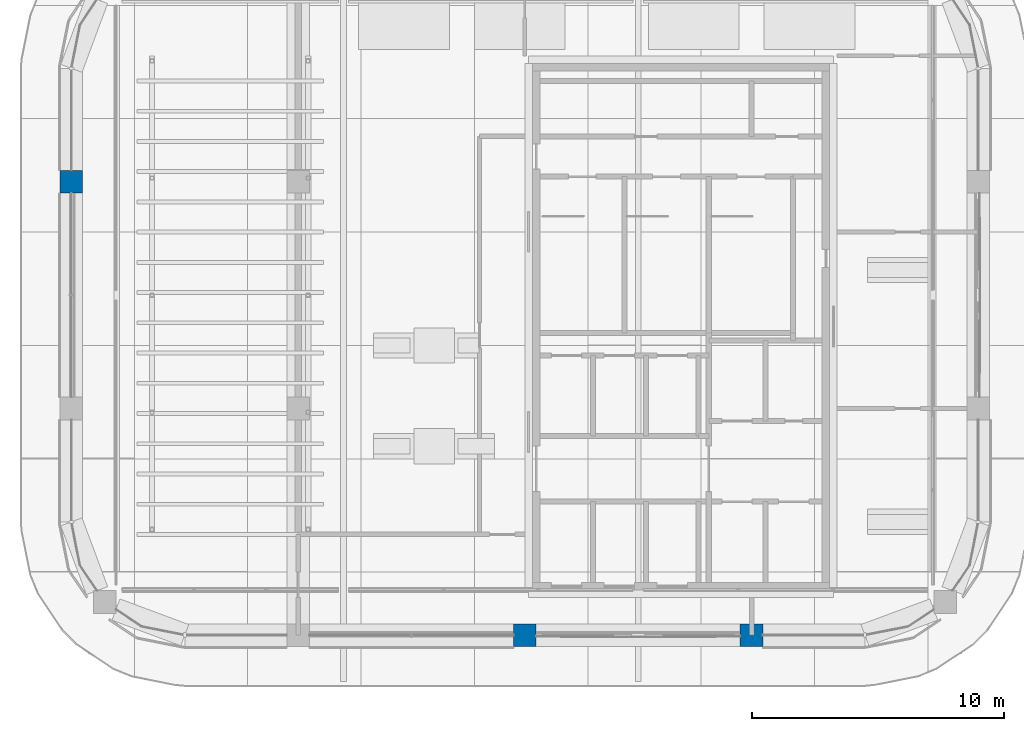
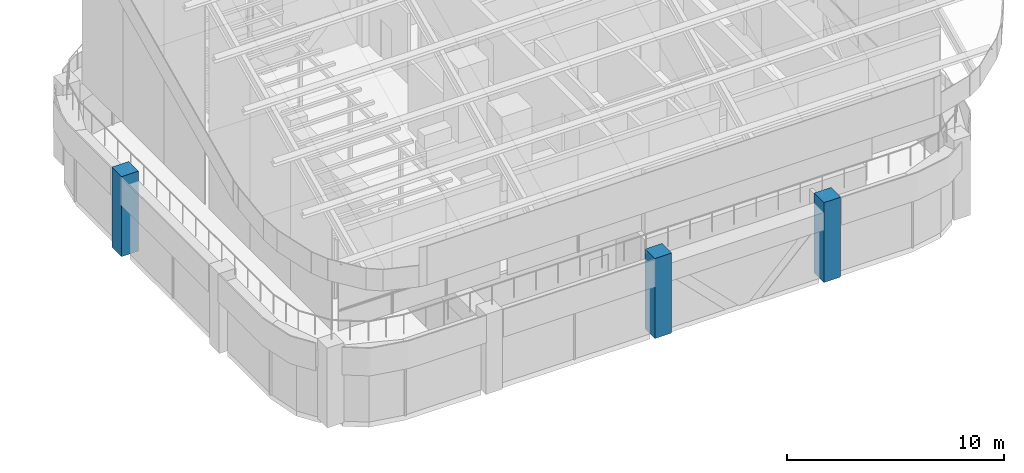
# One storey, part 2 of 31: 3 columns.
"""IFC4 building model written with IfcOpenShell, lengths in metres."""

from ifc_helpers import new_model, si_unit, direction, frame, origin, origin_2d, place, context, subcontext, project, spatial, rectangle, extrude, material, material_profile, profile_set, type_object, element, save


model = new_model("IFC4")

# Units and contexts
model_context = context("Model", 3, precision=1e-05, world=origin(), true_north=direction((0.0, 1.0)))
body_context = subcontext(model_context, "Body", "Model", "MODEL_VIEW")
ifc_project = project(units=[si_unit("LENGTHUNIT", "METRE"), si_unit("AREAUNIT", "SQUARE_METRE"), si_unit("VOLUMEUNIT", "CUBIC_METRE"), si_unit("PLANEANGLEUNIT", "RADIAN"), si_unit("MASSUNIT", "GRAM", prefix="KILO")], contexts=[model_context])

# Site, building, storey
site_placement = place(None, origin())
site = spatial("IfcSite", under=ifc_project, at=site_placement, CompositionType="ELEMENT")
building_placement = place(site_placement, origin())
building = spatial("IfcBuilding", under=site, at=building_placement, Name="Tessera Arch", CompositionType="ELEMENT")
storey_placement = place(building_placement, frame((0.0, 0.0, 320.699951171875)))
storey = spatial("IfcBuildingStorey", under=building, at=storey_placement, Name="L77", CompositionType="ELEMENT", Elevation=320.699951171875)

# Columns
ifc_material = material(Name="Concrete C50/60", Category="concrete")
ifc_material_profile = material_profile(ifc_material, rectangle(XDim=0.89990234375, YDim=0.89990234375, at=origin_2d()), Name="RC column 900 x 900 Concrete C50/60")
ifc_profile_set = profile_set([ifc_material_profile], Name="Concrete C50/60")
column_type = type_object("IfcColumnType", Name="RC column 900 x 900 Concrete C50/60", PredefinedType="COLUMN", material=ifc_profile_set)
for number, where, z_axis, x_axis, name in (
    (1, (18.0, 45.0, 0.0), (0.0, 0.0, 1.0), (1.0, 0.0, 0.0), "Column C3F L77"),
    (2, (36.0, 27.0, 0.0), (0.0, 0.0, 1.0), (1.0, 0.0, 0.0), "Column C5D L77"),
    (3, (45.0, 27.0, 0.0), (0.0, 0.0, 1.0), (1.0, 0.0, 0.0), "Column C6D L77"),
):
    element("IfcColumn", number, at=place(storey_placement, frame(where, z_axis=z_axis, x_axis=x_axis)), inside=storey, type_object=column_type, Name=name, PredefinedType="COLUMN", context=body_context, shape_type="SweptSolid", body=[
        extrude(rectangle(XDim=0.89990234375, YDim=0.89990234375, at=origin_2d()), origin(), (0.0, 0.0, 1.0), 4.5),
    ])

save(model, "model.ifc")
